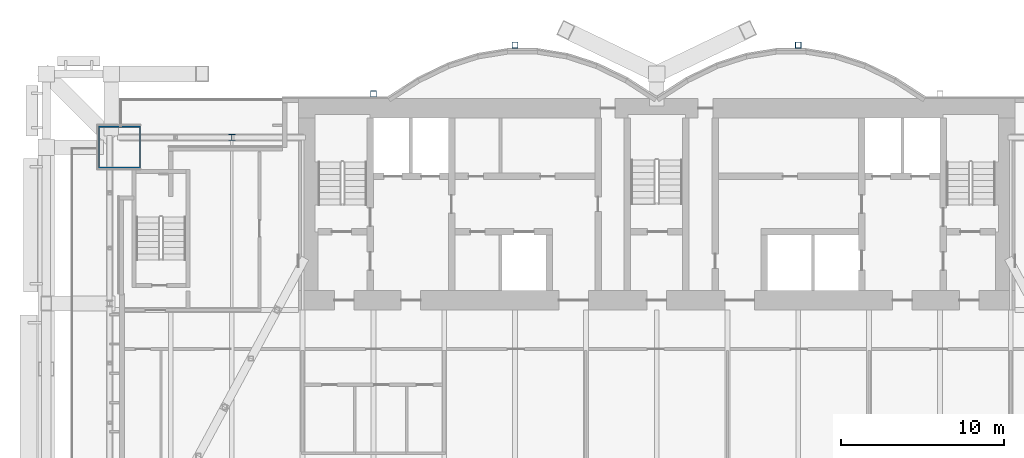
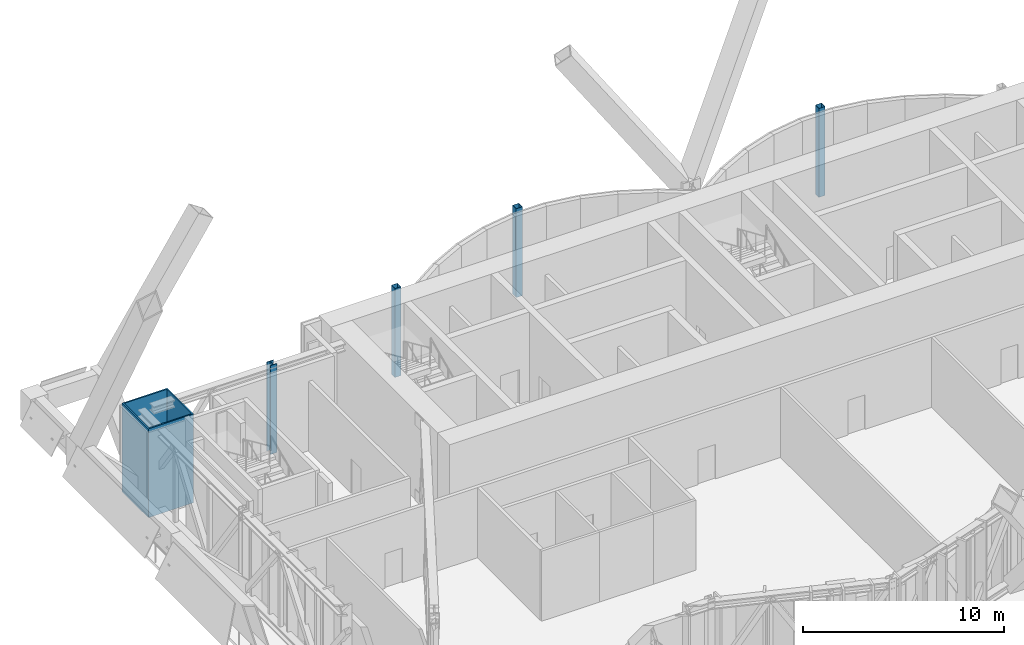
# One storey, part 2 of 30: 5 columns.
"""IFC4 building model written with IfcOpenShell, lengths in metres."""

import ifcopenshell
import ifcopenshell.guid

model = None  # the IFC model being written
_history = None  # IfcOwnerHistory: only IFC2X3 demands one
_inside = {}  # id of a spatial element -> (the spatial element, [elements in it])
_under = {}  # id of a project, library or spatial element -> (it, [spatial elements below it])
_declared = {}  # id of a project -> (the project, [libraries it declares])
_typed = {}  # id of a type object -> (the type object, [elements of that type])
_made_of = {}  # id of a material, layer set ... -> (it, [elements and type objects made of it])


def new_model(schema):
    """Start an empty IFC model of exactly this schema.

    Asked for "IFC4X3", IfcOpenShell would pick the latest addendum, in which some entities
    have other attributes; the version numbers below select the first issue.
    IFC2X3 requires an IfcOwnerHistory on every rooted entity: one is made here for all.
    """
    global model, _history
    if schema == "IFC4X3":
        model = ifcopenshell.file(schema_version=(4, 3, 0, 0))
    else:
        model = ifcopenshell.file(schema=schema)
    _inside.clear()
    _under.clear()
    _declared.clear()
    _typed.clear()
    _made_of.clear()
    _history = None
    if model.schema == "IFC2X3":
        org = make("IfcOrganization", Name="unknown")
        user = make(
            "IfcPersonAndOrganization",
            ThePerson=make("IfcPerson", FamilyName="unknown"),
            TheOrganization=org,
        )
        app = make(
            "IfcApplication",
            ApplicationDeveloper=org,
            Version="unknown",
            ApplicationFullName="unknown",
            ApplicationIdentifier="unknown",
        )
        _history = make(
            "IfcOwnerHistory",
            OwningUser=user,
            OwningApplication=app,
            ChangeAction="ADDED",
            CreationDate=0,
        )
    return model


def make(cls, **values):
    """One entity of the class cls with the attributes given. An attribute that is None is left unset."""
    return model.create_entity(
        cls, **{name: value for name, value in values.items() if value is not None}
    )


def rooted(cls, **values):
    """An entity with a GlobalId (a new one), such as an element, a storey or a relation."""
    return make(cls, GlobalId=ifcopenshell.guid.new(), OwnerHistory=_history, **values)


def si_unit(unit_type, name, prefix=None):
    """IfcSIUnit, for example si_unit("LENGTHUNIT", "METRE", prefix="MILLI")."""
    return make("IfcSIUnit", UnitType=unit_type, Prefix=prefix, Name=name)


def assignment(units):
    """IfcUnitAssignment: the units of a project."""
    return None if units is None else make("IfcUnitAssignment", Units=units)


def point(xyz):
    """IfcCartesianPoint."""
    return None if xyz is None else make("IfcCartesianPoint", Coordinates=xyz)


def direction(xyz):
    """IfcDirection."""
    return None if xyz is None else make("IfcDirection", DirectionRatios=xyz)


def frame(location, z_axis=None, x_axis=None):
    """IfcAxis2Placement3D, a coordinate frame: its origin and axes. An axis left out is left unset."""
    return make(
        "IfcAxis2Placement3D",
        Location=point(location),
        Axis=direction(z_axis),
        RefDirection=direction(x_axis),
    )


def frame_2d(location, x_axis=None):
    """IfcAxis2Placement2D, a coordinate frame in the plane: its origin and x axis."""
    return make(
        "IfcAxis2Placement2D", Location=point(location), RefDirection=direction(x_axis)
    )


def origin():
    """The frame at (0, 0, 0) with its axes left unset."""
    return frame((0.0, 0.0, 0.0))


def origin_2d():
    """The frame at (0, 0) in the plane with its x axis left unset."""
    return frame_2d((0.0, 0.0))


def place(relative_to, where):
    """IfcLocalPlacement: puts the frame where relative to a parent placement (None: the world)."""
    return make(
        "IfcLocalPlacement", PlacementRelTo=relative_to, RelativePlacement=where
    )


def context(
    kind, dimensions, precision=None, world=None, true_north=None, identifier=None
):
    """IfcGeometricRepresentationContext, for example the 3D "Model" context."""
    return make(
        "IfcGeometricRepresentationContext",
        ContextIdentifier=identifier,
        ContextType=kind,
        CoordinateSpaceDimension=dimensions,
        Precision=precision,
        WorldCoordinateSystem=world,
        TrueNorth=true_north,
    )


def subcontext(parent, identifier, kind, view, scale=None):
    """IfcGeometricRepresentationSubContext, for example "Body" below "Model"."""
    return make(
        "IfcGeometricRepresentationSubContext",
        ContextIdentifier=identifier,
        ContextType=kind,
        ParentContext=parent,
        TargetScale=scale,
        TargetView=view,
    )


def project(units=None, contexts=None):
    """IfcProject with its units and contexts."""
    return rooted(
        "IfcProject",
        Name="project",
        RepresentationContexts=contexts,
        UnitsInContext=assignment(units),
    )


def spatial(cls, under=None, at=None, **own):
    """A site, building, storey or space (cls), placed at a placement, below another one or the project."""
    s = rooted(cls, ObjectPlacement=at, **own)
    if under is not None:
        _under.setdefault(under.id(), (under, []))[1].append(s)
    return s


def profile(cls, at=None, kind="AREA", **sizes):
    """A parametric profile (cls). Its sizes go by their IFC names, for example OverallWidth=200.0."""
    return make(cls, ProfileType=kind, Position=at, **sizes)


def hollow_rectangle(**sizes):
    """IfcRectangleHollowProfileDef."""
    return profile("IfcRectangleHollowProfileDef", **sizes)


def i_section(**sizes):
    """IfcIShapeProfileDef."""
    return profile("IfcIShapeProfileDef", **sizes)


def extrude(swept, where, along, depth):
    """IfcExtrudedAreaSolid: the profile swept, set in the frame where, extruded along a direction by depth."""
    return make(
        "IfcExtrudedAreaSolid",
        SweptArea=swept,
        Position=where,
        ExtrudedDirection=direction(along),
        Depth=depth,
    )


def shape(context_of_items, identifier, shape_type, items):
    """IfcShapeRepresentation: the items that make up one representation, for example the "Body"."""
    return make(
        "IfcShapeRepresentation",
        ContextOfItems=context_of_items,
        RepresentationIdentifier=identifier,
        RepresentationType=shape_type,
        Items=items,
    )


def material(Name=None, Category=None):
    """IfcMaterial."""
    return make("IfcMaterial", Name=Name, Category=Category)


def material_profile(
    of_material, cross_section, Name=None, Category=None, Priority=None
):
    """IfcMaterialProfile: a cross section and its material."""
    return make(
        "IfcMaterialProfile",
        Name=Name,
        Material=of_material,
        Profile=cross_section,
        Priority=Priority,
        Category=Category,
    )


def profile_set(profiles, Name=None, composite=None):
    """IfcMaterialProfileSet."""
    return make(
        "IfcMaterialProfileSet",
        Name=Name,
        MaterialProfiles=profiles,
        CompositeProfile=composite,
    )


def made_of(thing, what):
    """Note that an element or type object is made of a material, layer set ...; save() writes the relation."""
    if what is not None:
        _made_of.setdefault(what.id(), (what, []))[1].append(thing)
    return thing


def type_object(cls, material=None, **own):
    """A type object (cls), such as IfcWallType, which elements share."""
    return made_of(rooted(cls, **own), material)


def element(
    cls,
    number,
    at=None,
    inside=None,
    cuts=None,
    type_object=None,
    material=None,
    context=None,
    identifier="Body",
    shape_type=None,
    held_by="IfcProductDefinitionShape",
    body=None,
    shapes=None,
    **own,
):
    """One element of the class cls, such as IfcWall. Its Tag is "e" and its number.

    at: its placement. inside: the storey or other place that contains it. cuts: it is an
    opening in that element (IfcRelVoidsElement). A single representation is given by context,
    identifier, shape_type and body (its items); several are given by shapes. held_by: the class
    of the entity that holds the representations. save() writes the other relations.
    """
    e = rooted(cls, Tag="e%d" % number, ObjectPlacement=at, **own)
    if body is not None:
        shapes = [shape(context, identifier, shape_type, body)]
    if shapes is not None:
        e.Representation = make(held_by, Representations=shapes)
    if inside is not None:
        _inside.setdefault(inside.id(), (inside, []))[1].append(e)
    if cuts is not None:
        rooted(
            "IfcRelVoidsElement", RelatingBuildingElement=cuts, RelatedOpeningElement=e
        )
    if type_object is not None:
        _typed.setdefault(type_object.id(), (type_object, []))[1].append(e)
    return made_of(e, material)


def aggregate(whole, parts):
    """IfcRelAggregates: a whole, such as a stair, and the parts it consists of."""
    return rooted("IfcRelAggregates", RelatingObject=whole, RelatedObjects=parts)


def save(model, path):
    """Write the relations noted so far, then the file.

    IfcRelAggregates (storeys below a building ...), IfcRelContainedInSpatialStructure (elements
    in a storey), IfcRelDefinesByType, IfcRelAssociatesMaterial and IfcRelDeclares: one each for
    every whole, place, type object, material and project.
    """
    for whole, parts in _under.values():
        aggregate(whole, parts)
    for where, things in _inside.values():
        rooted(
            "IfcRelContainedInSpatialStructure",
            RelatedElements=things,
            RelatingStructure=where,
        )
    for kind, things in _typed.values():
        rooted("IfcRelDefinesByType", RelatedObjects=things, RelatingType=kind)
    for what, things in _made_of.values():
        rooted("IfcRelAssociatesMaterial", RelatedObjects=things, RelatingMaterial=what)
    for by, libraries in _declared.values():
        rooted("IfcRelDeclares", RelatingContext=by, RelatedDefinitions=libraries)
    model.write(path)


model = new_model("IFC4")

# Units and contexts
model_context = context("Model", 3, precision=1e-05, world=origin(), true_north=direction((0.0, 1.0)))
body_context = subcontext(model_context, "Body", "Model", "MODEL_VIEW")
ifc_project = project(units=[si_unit("LENGTHUNIT", "METRE"), si_unit("AREAUNIT", "SQUARE_METRE"), si_unit("VOLUMEUNIT", "CUBIC_METRE"), si_unit("PLANEANGLEUNIT", "RADIAN"), si_unit("MASSUNIT", "GRAM", prefix="KILO")], contexts=[model_context])

# Site, building, storey
site_placement = place(None, origin())
site = spatial("IfcSite", under=ifc_project, at=site_placement, CompositionType="ELEMENT")
building_placement = place(site_placement, origin())
building = spatial("IfcBuilding", under=site, at=building_placement, Name="Bicima Exchange Tower", CompositionType="ELEMENT")
storey_placement = place(building_placement, frame((0.0, 0.0, 185.5)))
storey = spatial("IfcBuildingStorey", under=building, at=storey_placement, Name="L41", CompositionType="ELEMENT", Elevation=185.5)

# Columns
ifc_material_1 = material(Name="Steel ASTM A572 Gr 50", Category="steel")
ifc_material_profile_1 = material_profile(ifc_material_1, hollow_rectangle(XDim=2.60009765625, YDim=2.60009765625, WallThickness=0.080078125, at=origin_2d()))
ifc_profile_set_1 = profile_set([ifc_material_profile_1], Name="Steel ASTM A572 Gr 50")
column_type_1 = type_object("IfcColumnType", Name="Mega column BOX 2600x2600x80", PredefinedType="COLUMN", material=ifc_profile_set_1)
column_1_placement = place(storey_placement, frame((-33.0, -3.0, 0.0), z_axis=(0.0, 0.0, 1.0), x_axis=(1.0, 0.0, 0.0)))
element("IfcColumn", 1, at=column_1_placement, inside=storey, type_object=column_type_1, Name="Mega column mega-33.0r", PredefinedType="COLUMN", context=body_context, shape_type="SweptSolid", body=[
    extrude(hollow_rectangle(XDim=2.60009765625, YDim=2.60009765625, WallThickness=0.080078125, at=origin_2d()), origin(), (0.0, 0.0, 1.0), 5.39990234375),
])
ifc_material_2 = material(Name="Steel ASTM A992 Gr 50", Category="steel")
ifc_material_profile_2 = material_profile(ifc_material_2, i_section(OverallWidth=0.396240234375, OverallDepth=0.381103515625, WebThickness=0.01904296875, FlangeThickness=0.0302734375, at=origin_2d()))
ifc_profile_set_2 = profile_set([ifc_material_profile_2], Name="Steel ASTM A992 Gr 50")
column_type_2 = type_object("IfcColumnType", Name="Perimeter column W14x159", PredefinedType="COLUMN", material=ifc_profile_set_2)
column_2_placement = place(storey_placement, frame((-26.10009765625, -2.39990234375, 0.0), z_axis=(0.0, 0.0, 1.0), x_axis=(1.0, 0.0, 0.0)))
element("IfcColumn", 2, at=column_2_placement, inside=storey, type_object=column_type_2, Name="Perimeter column grav-26.1r", PredefinedType="COLUMN", context=body_context, shape_type="SweptSolid", body=[
    extrude(i_section(OverallWidth=0.396240234375, OverallDepth=0.381103515625, WebThickness=0.01904296875, FlangeThickness=0.0302734375, at=origin_2d()), origin(), (0.0, 0.0, 1.0), 5.39990234375),
])
ifc_material_profile_3 = material_profile(ifc_material_1, hollow_rectangle(XDim=0.355712890625, YDim=0.355712890625, WallThickness=0.01171875, at=origin_2d()))
ifc_profile_set_3 = profile_set([ifc_material_profile_3], Name="Steel ASTM A572 Gr 50")
column_type_3 = type_object("IfcColumnType", Name="Rear pilaster HSS14x14x1/2", PredefinedType="COLUMN", material=ifc_profile_set_3)
for number, where, z_axis, x_axis, name in (
    (3, (-8.699951171875, 3.26904296875, 0.0), (0.0, 0.0, 1.0), (1.0, 0.0, 0.0), "Rear pilaster rexo-8.7r"),
    (4, (-17.39990234375, 0.278076171875, 0.0), (0.0, 0.0, 1.0), (1.0, 0.0, 0.0), "Rear pilaster rexo-17.4r"),
    (5, (8.699951171875, 3.26904296875, 0.0), (0.0, 0.0, 1.0), (1.0, 0.0, 0.0), "Rear pilaster rexo+8.7r"),
):
    element("IfcColumn", number, at=place(storey_placement, frame(where, z_axis=z_axis, x_axis=x_axis)), inside=storey, type_object=column_type_3, Name=name, PredefinedType="COLUMN", context=body_context, shape_type="SweptSolid", body=[
        extrude(hollow_rectangle(XDim=0.355712890625, YDim=0.355712890625, WallThickness=0.01171875, at=origin_2d()), origin(), (0.0, 0.0, 1.0), 5.39990234375),
    ])

save(model, "model.ifc")
